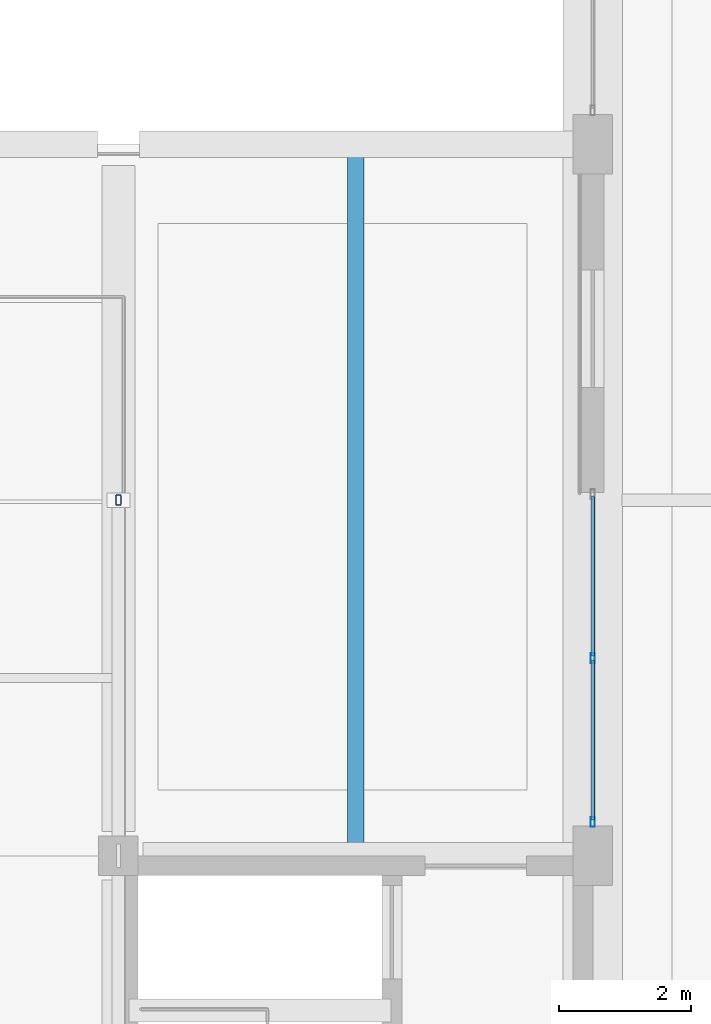
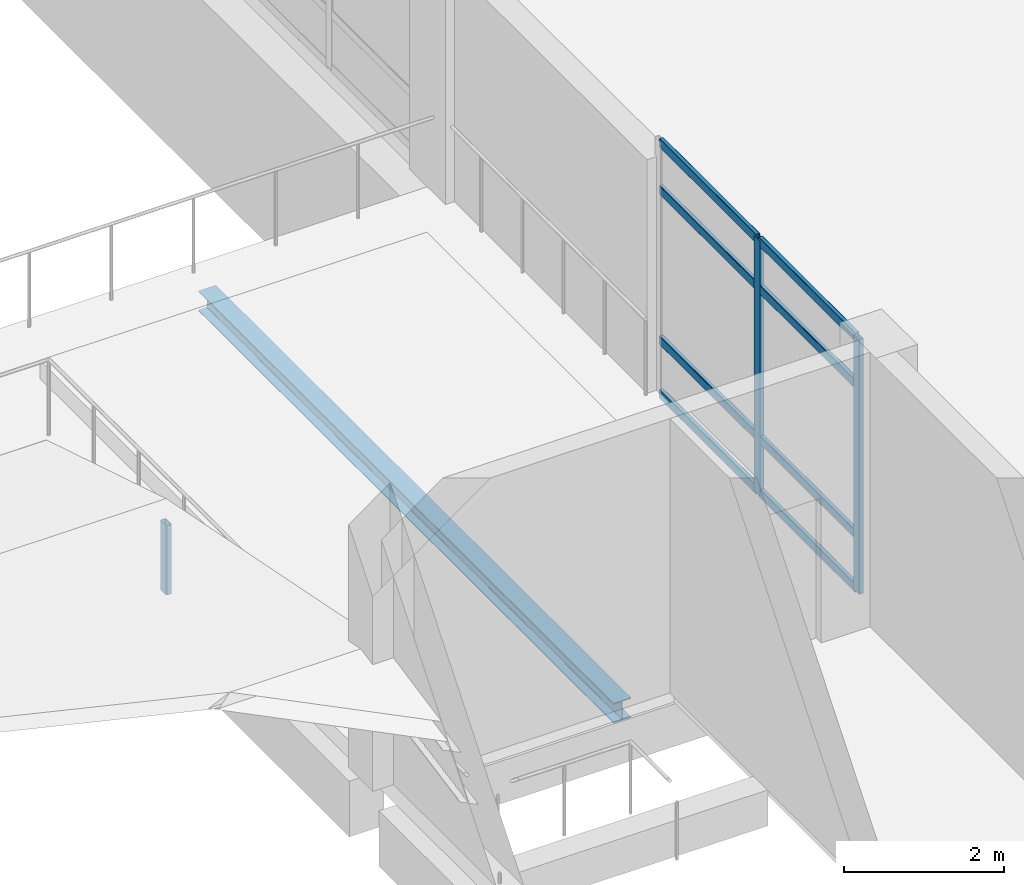
# One storey, part 22 of 158: 11 members, 1 beam, 1 element without a shape of its own.
"""IFC4 building model written with IfcOpenShell, lengths in metres."""

from ifc_helpers import new_model, si_unit, direction, frame, origin, origin_2d, place, context, subcontext, project, spatial, hollow_rectangle, i_section, extrude, material, material_profile, profile_set, type_object, element, aggregate, save


model = new_model("IFC4")

# Units and contexts
model_context = context("Model", 3, precision=1e-05, world=origin(), true_north=direction((0.0, 1.0)))
body_context = subcontext(model_context, "Body", "Model", "MODEL_VIEW")
ifc_project = project(units=[si_unit("LENGTHUNIT", "METRE"), si_unit("AREAUNIT", "SQUARE_METRE"), si_unit("VOLUMEUNIT", "CUBIC_METRE"), si_unit("PLANEANGLEUNIT", "RADIAN"), si_unit("MASSUNIT", "GRAM", prefix="KILO")], contexts=[model_context])

# Site, building, storey
site_placement = place(None, origin())
site = spatial("IfcSite", under=ifc_project, at=site_placement, CompositionType="ELEMENT")
building_placement = place(site_placement, origin())
building = spatial("IfcBuilding", under=site, at=building_placement, Name="Lusvemor Sports Hall", CompositionType="ELEMENT")
storey_placement = place(building_placement, frame((0.0, 0.0, 10.800048828125)))
storey = spatial("IfcBuildingStorey", under=building, at=storey_placement, Name="L02", CompositionType="ELEMENT", Elevation=10.800048828125)

# Curtain wall, members
ifc_material_1 = material(Name="Thermally broken bronze-anodized aluminium", Category="aluminium")
curtain_wall_type = type_object("IfcCurtainWallType", Name="CW_COURT_C", PredefinedType="NOTDEFINED", material=ifc_material_1)
curtain_wall_placement = place(storey_placement, origin())
curtain_wall = element("IfcCurtainWall", 1, at=curtain_wall_placement, inside=storey, type_object=curtain_wall_type, Name="Curtain Wall CW-V2W-L02-2A", PredefinedType="NOTDEFINED")
ifc_material_2 = material(Name="Thermally broken bronze-anodized aluminium", Category="aluminium")
ifc_material_profile_1 = material_profile(ifc_material_2, hollow_rectangle(XDim=0.06494140625, YDim=0.14990234375, WallThickness=0.00390625, InnerFilletRadius=0.00390625, OuterFilletRadius=0.008056640625, at=origin_2d()), Name="CWMUL150x65x4")
ifc_profile_set_1 = profile_set([ifc_material_profile_1], Name="Thermally broken bronze-anodized aluminium")
member_type_1 = type_object("IfcMemberType", Name="CW_MUL_B", PredefinedType="MULLION", material=ifc_profile_set_1)
member_1_placement = place(storey_placement, frame((118.800048828125, 18.512451171875, -0.050048828125), z_axis=(0.0, 0.0, 1.0), x_axis=(-1.0, 0.0, 0.0)))
member_1 = element("IfcMember", 2, at=member_1_placement, type_object=member_type_1, Name="CW03 mullion 1", PredefinedType="MULLION", context=body_context, shape_type="SweptSolid", body=[
    extrude(hollow_rectangle(XDim=0.06494140625, YDim=0.14990234375, WallThickness=0.00390625, InnerFilletRadius=0.00390625, OuterFilletRadius=0.008056640625, at=origin_2d()), origin(), (0.0, 0.0, 1.0), 3.89990234375),
])
member_2_placement = place(storey_placement, frame((118.800048828125, 21.0, -0.050048828125), z_axis=(0.0, 0.0, 1.0), x_axis=(-1.0, 0.0, 0.0)))
member_2 = element("IfcMember", 3, at=member_2_placement, type_object=member_type_1, Name="CW03 mullion 2", PredefinedType="MULLION", context=body_context, shape_type="SweptSolid", body=[
    extrude(hollow_rectangle(XDim=0.06494140625, YDim=0.14990234375, WallThickness=0.00390625, InnerFilletRadius=0.00390625, OuterFilletRadius=0.008056640625, at=origin_2d()), origin(), (0.0, 0.0, 1.0), 3.89990234375),
])
ifc_material_3 = material(Name="Thermally broken bronze-anodized aluminium", Category="aluminium")
ifc_material_profile_2 = material_profile(ifc_material_3, hollow_rectangle(XDim=0.06005859375, YDim=0.135009765625, WallThickness=0.00390625, InnerFilletRadius=0.00390625, OuterFilletRadius=0.008056640625, at=origin_2d()), Name="CWTRN135x60x4")
ifc_profile_set_2 = profile_set([ifc_material_profile_2], Name="Thermally broken bronze-anodized aluminium")
member_type_2 = type_object("IfcMemberType", Name="CW_TRN_B", PredefinedType="USERDEFINED", material=ifc_profile_set_2)
member_3_placement = place(storey_placement, frame((118.800048828125, 18.544921875, -0.02001953125), z_axis=(0.0, 1.0, 0.0), x_axis=(-1.0, 0.0, 0.0)))
member_3 = element("IfcMember", 4, at=member_3_placement, type_object=member_type_2, Name="CW03 transom 1.1", ObjectType="TRANSOM", PredefinedType="USERDEFINED", context=body_context, shape_type="SweptSolid", body=[
    extrude(hollow_rectangle(XDim=0.06005859375, YDim=0.135009765625, WallThickness=0.00390625, InnerFilletRadius=0.00390625, OuterFilletRadius=0.008056640625, at=origin_2d()), origin(), (0.0, 0.0, 1.0), 2.422607421875),
])
member_4_placement = place(storey_placement, frame((118.800048828125, 18.544921875, 0.800048828125), z_axis=(0.0, 1.0, 0.0), x_axis=(-1.0, 0.0, 0.0)))
member_4 = element("IfcMember", 5, at=member_4_placement, type_object=member_type_2, Name="CW03 transom 1.2", ObjectType="TRANSOM", PredefinedType="USERDEFINED", context=body_context, shape_type="SweptSolid", body=[
    extrude(hollow_rectangle(XDim=0.06005859375, YDim=0.135009765625, WallThickness=0.00390625, InnerFilletRadius=0.00390625, OuterFilletRadius=0.008056640625, at=origin_2d()), origin(), (0.0, 0.0, 1.0), 2.422607421875),
])
member_5_placement = place(storey_placement, frame((118.800048828125, 18.544921875, 3.099853515625), z_axis=(0.0, 1.0, 0.0), x_axis=(-1.0, 0.0, 0.0)))
member_5 = element("IfcMember", 6, at=member_5_placement, type_object=member_type_2, Name="CW03 transom 1.3", ObjectType="TRANSOM", PredefinedType="USERDEFINED", context=body_context, shape_type="SweptSolid", body=[
    extrude(hollow_rectangle(XDim=0.06005859375, YDim=0.135009765625, WallThickness=0.00390625, InnerFilletRadius=0.00390625, OuterFilletRadius=0.008056640625, at=origin_2d()), origin(), (0.0, 0.0, 1.0), 2.422607421875),
])
member_6_placement = place(storey_placement, frame((118.800048828125, 18.544921875, 3.820068359375), z_axis=(0.0, 1.0, 0.0), x_axis=(-1.0, 0.0, 0.0)))
member_6 = element("IfcMember", 7, at=member_6_placement, type_object=member_type_2, Name="CW03 transom 1.4", ObjectType="TRANSOM", PredefinedType="USERDEFINED", context=body_context, shape_type="SweptSolid", body=[
    extrude(hollow_rectangle(XDim=0.06005859375, YDim=0.135009765625, WallThickness=0.00390625, InnerFilletRadius=0.00390625, OuterFilletRadius=0.008056640625, at=origin_2d()), origin(), (0.0, 0.0, 1.0), 2.422607421875),
])
member_7_placement = place(storey_placement, frame((118.800048828125, 21.032470703125, -0.02001953125), z_axis=(0.0, 1.0, 0.0), x_axis=(-1.0, 0.0, 0.0)))
member_7 = element("IfcMember", 8, at=member_7_placement, type_object=member_type_2, Name="CW03 transom 2.1", ObjectType="TRANSOM", PredefinedType="USERDEFINED", context=body_context, shape_type="SweptSolid", body=[
    extrude(hollow_rectangle(XDim=0.06005859375, YDim=0.135009765625, WallThickness=0.00390625, InnerFilletRadius=0.00390625, OuterFilletRadius=0.008056640625, at=origin_2d()), origin(), (0.0, 0.0, 1.0), 2.422607421875),
])
member_8_placement = place(storey_placement, frame((118.800048828125, 21.032470703125, 0.800048828125), z_axis=(0.0, 1.0, 0.0), x_axis=(-1.0, 0.0, 0.0)))
member_8 = element("IfcMember", 9, at=member_8_placement, type_object=member_type_2, Name="CW03 transom 2.2", ObjectType="TRANSOM", PredefinedType="USERDEFINED", context=body_context, shape_type="SweptSolid", body=[
    extrude(hollow_rectangle(XDim=0.06005859375, YDim=0.135009765625, WallThickness=0.00390625, InnerFilletRadius=0.00390625, OuterFilletRadius=0.008056640625, at=origin_2d()), origin(), (0.0, 0.0, 1.0), 2.422607421875),
])
member_9_placement = place(storey_placement, frame((118.800048828125, 21.032470703125, 3.099853515625), z_axis=(0.0, 1.0, 0.0), x_axis=(-1.0, 0.0, 0.0)))
member_9 = element("IfcMember", 10, at=member_9_placement, type_object=member_type_2, Name="CW03 transom 2.3", ObjectType="TRANSOM", PredefinedType="USERDEFINED", context=body_context, shape_type="SweptSolid", body=[
    extrude(hollow_rectangle(XDim=0.06005859375, YDim=0.135009765625, WallThickness=0.00390625, InnerFilletRadius=0.00390625, OuterFilletRadius=0.008056640625, at=origin_2d()), origin(), (0.0, 0.0, 1.0), 2.422607421875),
])
member_10_placement = place(storey_placement, frame((118.800048828125, 21.032470703125, 3.820068359375), z_axis=(0.0, 1.0, 0.0), x_axis=(-1.0, 0.0, 0.0)))
member_10 = element("IfcMember", 11, at=member_10_placement, type_object=member_type_2, Name="CW03 transom 2.4", ObjectType="TRANSOM", PredefinedType="USERDEFINED", context=body_context, shape_type="SweptSolid", body=[
    extrude(hollow_rectangle(XDim=0.06005859375, YDim=0.135009765625, WallThickness=0.00390625, InnerFilletRadius=0.00390625, OuterFilletRadius=0.008056640625, at=origin_2d()), origin(), (0.0, 0.0, 1.0), 2.422607421875),
])
aggregate(curtain_wall, [member_1, member_2, member_3, member_4, member_5, member_6, member_7, member_8, member_9, member_10])

# Beam
ifc_material_4 = material(Name="Steel S355", Category="steel")
ifc_material_profile_3 = material_profile(ifc_material_4, i_section(OverallWidth=0.25390625, OverallDepth=0.305908203125, WebThickness=0.0087890625, FlangeThickness=0.0146484375, FilletRadius=0.014892578125, at=origin_2d()), Name="W310x79.0")
ifc_profile_set_3 = profile_set([ifc_material_profile_3], Name="Steel S355")
beam_type = type_object("IfcBeamType", Name="JOIST_ST_310H", PredefinedType="JOIST", material=ifc_profile_set_3)
beam_placement = place(storey_placement, frame((115.199951171875, 18.196044921875, -0.427001953125), z_axis=(0.0, 1.0, 0.0), x_axis=(-1.0, 0.0, 0.0)))
element("IfcBeam", 12, at=beam_placement, inside=storey, type_object=beam_type, Name="Secondary Joist L02 12-13/C-D #1", PredefinedType="JOIST", context=body_context, shape_type="SweptSolid", body=[
    extrude(i_section(OverallWidth=0.25390625, OverallDepth=0.305908203125, WebThickness=0.0087890625, FlangeThickness=0.0146484375, FilletRadius=0.014892578125, at=origin_2d()), origin(), (0.0, 0.0, 1.0), 10.407958984375),
])

# Member
ifc_material_5 = material(Name="Steel S355", Category="steel")
ifc_material_profile_4 = material_profile(ifc_material_5, hollow_rectangle(XDim=0.080078125, YDim=0.159912109375, WallThickness=0.008056640625, InnerFilletRadius=0.008056640625, OuterFilletRadius=0.01611328125, at=origin_2d()), Name="RHS160x80x8")
ifc_profile_set_4 = profile_set([ifc_material_profile_4], Name="Steel S355")
member_type_3 = type_object("IfcMemberType", Name="STRUT_LANTERN_160", PredefinedType="STRUT", material=ifc_profile_set_4)
member_11_placement = place(storey_placement, frame((111.60009765625, 23.39990234375, -0.5), z_axis=(0.0, 0.0, 1.0), x_axis=(1.0, 0.0, 0.0)))
element("IfcMember", 13, at=member_11_placement, inside=storey, type_object=member_type_3, Name="Lantern Gable Portal Strut 12-N", PredefinedType="STRUT", context=body_context, shape_type="SweptSolid", body=[
    extrude(hollow_rectangle(XDim=0.080078125, YDim=0.159912109375, WallThickness=0.008056640625, InnerFilletRadius=0.008056640625, OuterFilletRadius=0.01611328125, at=origin_2d()), origin(), (0.0, 0.0, 1.0), 1.06005859375),
])

save(model, "model.ifc")
